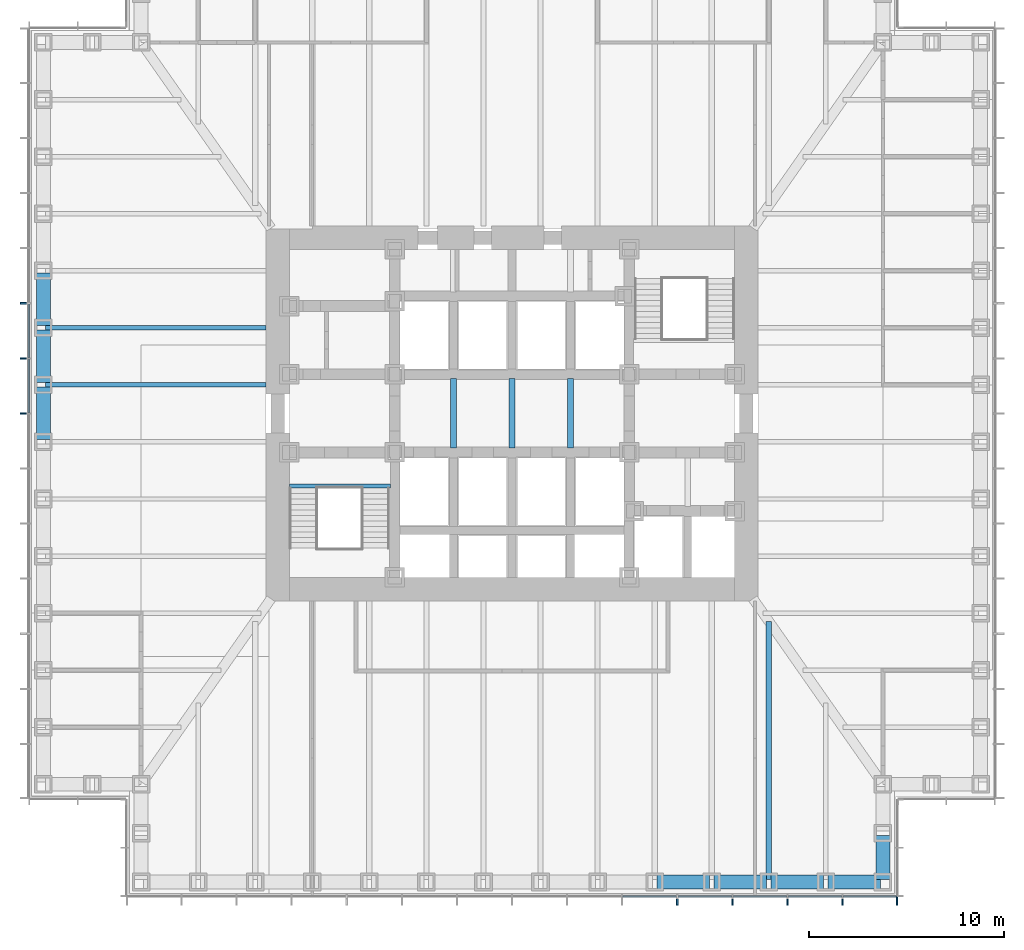
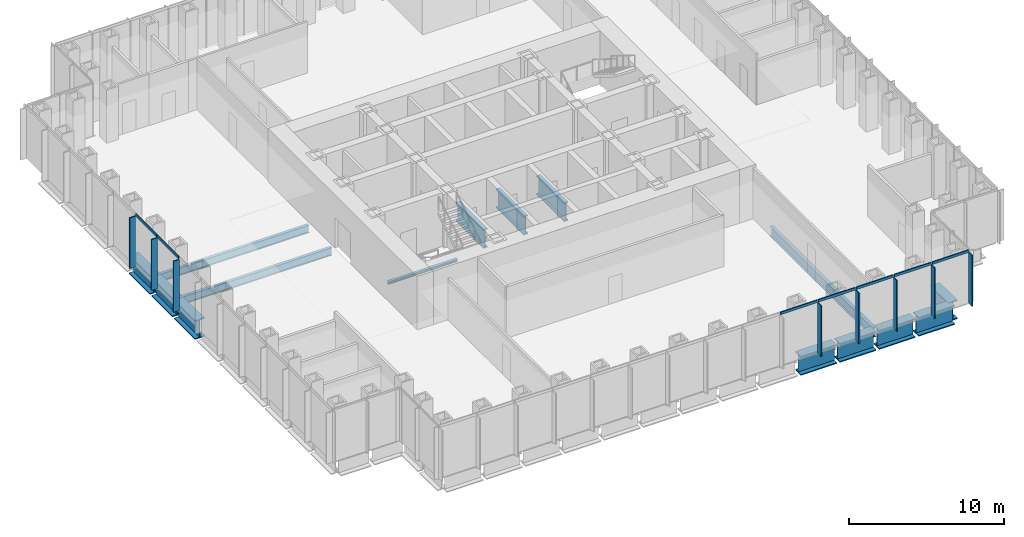
# One storey, part 3 of 17: 15 beams, 15 members, 2 elements without a shape of their own.
"""IFC4 building model written with IfcOpenShell, lengths in metres."""

import ifcopenshell
import ifcopenshell.guid

model = None  # the IFC model being written
_history = None  # IfcOwnerHistory: only IFC2X3 demands one
_inside = {}  # id of a spatial element -> (the spatial element, [elements in it])
_under = {}  # id of a project, library or spatial element -> (it, [spatial elements below it])
_declared = {}  # id of a project -> (the project, [libraries it declares])
_typed = {}  # id of a type object -> (the type object, [elements of that type])
_made_of = {}  # id of a material, layer set ... -> (it, [elements and type objects made of it])


def new_model(schema):
    """Start an empty IFC model of exactly this schema.

    Asked for "IFC4X3", IfcOpenShell would pick the latest addendum, in which some entities
    have other attributes; the version numbers below select the first issue.
    IFC2X3 requires an IfcOwnerHistory on every rooted entity: one is made here for all.
    """
    global model, _history
    if schema == "IFC4X3":
        model = ifcopenshell.file(schema_version=(4, 3, 0, 0))
    else:
        model = ifcopenshell.file(schema=schema)
    _inside.clear()
    _under.clear()
    _declared.clear()
    _typed.clear()
    _made_of.clear()
    _history = None
    if model.schema == "IFC2X3":
        org = make("IfcOrganization", Name="unknown")
        user = make(
            "IfcPersonAndOrganization",
            ThePerson=make("IfcPerson", FamilyName="unknown"),
            TheOrganization=org,
        )
        app = make(
            "IfcApplication",
            ApplicationDeveloper=org,
            Version="unknown",
            ApplicationFullName="unknown",
            ApplicationIdentifier="unknown",
        )
        _history = make(
            "IfcOwnerHistory",
            OwningUser=user,
            OwningApplication=app,
            ChangeAction="ADDED",
            CreationDate=0,
        )
    return model


def make(cls, **values):
    """One entity of the class cls with the attributes given. An attribute that is None is left unset."""
    return model.create_entity(
        cls, **{name: value for name, value in values.items() if value is not None}
    )


def rooted(cls, **values):
    """An entity with a GlobalId (a new one), such as an element, a storey or a relation."""
    return make(cls, GlobalId=ifcopenshell.guid.new(), OwnerHistory=_history, **values)


def si_unit(unit_type, name, prefix=None):
    """IfcSIUnit, for example si_unit("LENGTHUNIT", "METRE", prefix="MILLI")."""
    return make("IfcSIUnit", UnitType=unit_type, Prefix=prefix, Name=name)


def assignment(units):
    """IfcUnitAssignment: the units of a project."""
    return None if units is None else make("IfcUnitAssignment", Units=units)


def point(xyz):
    """IfcCartesianPoint."""
    return None if xyz is None else make("IfcCartesianPoint", Coordinates=xyz)


def direction(xyz):
    """IfcDirection."""
    return None if xyz is None else make("IfcDirection", DirectionRatios=xyz)


def frame(location, z_axis=None, x_axis=None):
    """IfcAxis2Placement3D, a coordinate frame: its origin and axes. An axis left out is left unset."""
    return make(
        "IfcAxis2Placement3D",
        Location=point(location),
        Axis=direction(z_axis),
        RefDirection=direction(x_axis),
    )


def frame_2d(location, x_axis=None):
    """IfcAxis2Placement2D, a coordinate frame in the plane: its origin and x axis."""
    return make(
        "IfcAxis2Placement2D", Location=point(location), RefDirection=direction(x_axis)
    )


def origin():
    """The frame at (0, 0, 0) with its axes left unset."""
    return frame((0.0, 0.0, 0.0))


def origin_2d():
    """The frame at (0, 0) in the plane with its x axis left unset."""
    return frame_2d((0.0, 0.0))


def place(relative_to, where):
    """IfcLocalPlacement: puts the frame where relative to a parent placement (None: the world)."""
    return make(
        "IfcLocalPlacement", PlacementRelTo=relative_to, RelativePlacement=where
    )


def context(
    kind, dimensions, precision=None, world=None, true_north=None, identifier=None
):
    """IfcGeometricRepresentationContext, for example the 3D "Model" context."""
    return make(
        "IfcGeometricRepresentationContext",
        ContextIdentifier=identifier,
        ContextType=kind,
        CoordinateSpaceDimension=dimensions,
        Precision=precision,
        WorldCoordinateSystem=world,
        TrueNorth=true_north,
    )


def subcontext(parent, identifier, kind, view, scale=None):
    """IfcGeometricRepresentationSubContext, for example "Body" below "Model"."""
    return make(
        "IfcGeometricRepresentationSubContext",
        ContextIdentifier=identifier,
        ContextType=kind,
        ParentContext=parent,
        TargetScale=scale,
        TargetView=view,
    )


def project(units=None, contexts=None):
    """IfcProject with its units and contexts."""
    return rooted(
        "IfcProject",
        Name="project",
        RepresentationContexts=contexts,
        UnitsInContext=assignment(units),
    )


def spatial(cls, under=None, at=None, **own):
    """A site, building, storey or space (cls), placed at a placement, below another one or the project."""
    s = rooted(cls, ObjectPlacement=at, **own)
    if under is not None:
        _under.setdefault(under.id(), (under, []))[1].append(s)
    return s


def profile(cls, at=None, kind="AREA", **sizes):
    """A parametric profile (cls). Its sizes go by their IFC names, for example OverallWidth=200.0."""
    return make(cls, ProfileType=kind, Position=at, **sizes)


def rectangle(**sizes):
    """IfcRectangleProfileDef."""
    return profile("IfcRectangleProfileDef", **sizes)


def i_section(**sizes):
    """IfcIShapeProfileDef."""
    return profile("IfcIShapeProfileDef", **sizes)


def extrude(swept, where, along, depth):
    """IfcExtrudedAreaSolid: the profile swept, set in the frame where, extruded along a direction by depth."""
    return make(
        "IfcExtrudedAreaSolid",
        SweptArea=swept,
        Position=where,
        ExtrudedDirection=direction(along),
        Depth=depth,
    )


def shape(context_of_items, identifier, shape_type, items):
    """IfcShapeRepresentation: the items that make up one representation, for example the "Body"."""
    return make(
        "IfcShapeRepresentation",
        ContextOfItems=context_of_items,
        RepresentationIdentifier=identifier,
        RepresentationType=shape_type,
        Items=items,
    )


def material(Name=None, Category=None):
    """IfcMaterial."""
    return make("IfcMaterial", Name=Name, Category=Category)


def material_profile(
    of_material, cross_section, Name=None, Category=None, Priority=None
):
    """IfcMaterialProfile: a cross section and its material."""
    return make(
        "IfcMaterialProfile",
        Name=Name,
        Material=of_material,
        Profile=cross_section,
        Priority=Priority,
        Category=Category,
    )


def profile_set(profiles, Name=None, composite=None):
    """IfcMaterialProfileSet."""
    return make(
        "IfcMaterialProfileSet",
        Name=Name,
        MaterialProfiles=profiles,
        CompositeProfile=composite,
    )


def made_of(thing, what):
    """Note that an element or type object is made of a material, layer set ...; save() writes the relation."""
    if what is not None:
        _made_of.setdefault(what.id(), (what, []))[1].append(thing)
    return thing


def type_object(cls, material=None, **own):
    """A type object (cls), such as IfcWallType, which elements share."""
    return made_of(rooted(cls, **own), material)


def element(
    cls,
    number,
    at=None,
    inside=None,
    cuts=None,
    type_object=None,
    material=None,
    context=None,
    identifier="Body",
    shape_type=None,
    held_by="IfcProductDefinitionShape",
    body=None,
    shapes=None,
    **own,
):
    """One element of the class cls, such as IfcWall. Its Tag is "e" and its number.

    at: its placement. inside: the storey or other place that contains it. cuts: it is an
    opening in that element (IfcRelVoidsElement). A single representation is given by context,
    identifier, shape_type and body (its items); several are given by shapes. held_by: the class
    of the entity that holds the representations. save() writes the other relations.
    """
    e = rooted(cls, Tag="e%d" % number, ObjectPlacement=at, **own)
    if body is not None:
        shapes = [shape(context, identifier, shape_type, body)]
    if shapes is not None:
        e.Representation = make(held_by, Representations=shapes)
    if inside is not None:
        _inside.setdefault(inside.id(), (inside, []))[1].append(e)
    if cuts is not None:
        rooted(
            "IfcRelVoidsElement", RelatingBuildingElement=cuts, RelatedOpeningElement=e
        )
    if type_object is not None:
        _typed.setdefault(type_object.id(), (type_object, []))[1].append(e)
    return made_of(e, material)


def aggregate(whole, parts):
    """IfcRelAggregates: a whole, such as a stair, and the parts it consists of."""
    return rooted("IfcRelAggregates", RelatingObject=whole, RelatedObjects=parts)


def save(model, path):
    """Write the relations noted so far, then the file.

    IfcRelAggregates (storeys below a building ...), IfcRelContainedInSpatialStructure (elements
    in a storey), IfcRelDefinesByType, IfcRelAssociatesMaterial and IfcRelDeclares: one each for
    every whole, place, type object, material and project.
    """
    for whole, parts in _under.values():
        aggregate(whole, parts)
    for where, things in _inside.values():
        rooted(
            "IfcRelContainedInSpatialStructure",
            RelatedElements=things,
            RelatingStructure=where,
        )
    for kind, things in _typed.values():
        rooted("IfcRelDefinesByType", RelatedObjects=things, RelatingType=kind)
    for what, things in _made_of.values():
        rooted("IfcRelAssociatesMaterial", RelatedObjects=things, RelatingMaterial=what)
    for by, libraries in _declared.values():
        rooted("IfcRelDeclares", RelatingContext=by, RelatedDefinitions=libraries)
    model.write(path)


model = new_model("IFC4")

# Units and contexts
model_context = context("Model", 3, precision=1e-05, world=origin(), true_north=direction((0.0, 1.0)))
body_context = subcontext(model_context, "Body", "Model", "MODEL_VIEW")
ifc_project = project(units=[si_unit("LENGTHUNIT", "METRE"), si_unit("AREAUNIT", "SQUARE_METRE"), si_unit("VOLUMEUNIT", "CUBIC_METRE"), si_unit("PLANEANGLEUNIT", "RADIAN"), si_unit("MASSUNIT", "GRAM", prefix="KILO")], contexts=[model_context])

# Site, building, storey
site_placement = place(None, origin())
site = spatial("IfcSite", under=ifc_project, at=site_placement, CompositionType="ELEMENT")
building_placement = place(site_placement, origin())
building = spatial("IfcBuilding", under=site, at=building_placement, Name="Daluyong Arena Tower", CompositionType="ELEMENT")
storey_placement = place(building_placement, frame((0.0, 0.0, 55.89990234375)))
storey = spatial("IfcBuildingStorey", under=building, at=storey_placement, Name="L11", CompositionType="ELEMENT", Elevation=55.89990234375)

# Curtain wall, members
ifc_material_1 = material(Name="Bronze anodised aluminium and glass", Category="aluminium")
curtain_wall_type = type_object("IfcCurtainWallType", Name="Curtain wall CW1", PredefinedType="USERDEFINED", material=ifc_material_1)
curtain_wall_1_placement = place(storey_placement, origin())
curtain_wall_1 = element("IfcCurtainWall", 1, at=curtain_wall_1_placement, inside=storey, type_object=curtain_wall_type, Name="curtain wall L11 S", ObjectType="UNITISED CURTAIN WALL", PredefinedType="USERDEFINED")
ifc_material_2 = material(Name="Bronze anodised aluminium fin", Category="aluminium")
ifc_material_profile_1 = material_profile(ifc_material_2, rectangle(XDim=0.449951171875, YDim=0.080078125, at=origin_2d()))
ifc_profile_set_1 = profile_set([ifc_material_profile_1], Name="Bronze anodised aluminium fin")
member_type_1 = type_object("IfcMemberType", Name="CW1 bronze fin 450x80", PredefinedType="MULLION", material=ifc_profile_set_1)
member_1_placement = place(storey_placement, frame((64.46435546875, 55.02490234375, 0.0), z_axis=(0.0, 0.0, 1.0), x_axis=(0.0, 1.0, 0.0)))
member_1 = element("IfcMember", 2, at=member_1_placement, type_object=member_type_1, Name="curtain wall L11 S fin 11", PredefinedType="MULLION", context=body_context, shape_type="SweptSolid", body=[
    extrude(rectangle(XDim=0.449951171875, YDim=0.080078125, at=origin_2d()), origin(), (0.0, 0.0, 1.0), 4.0),
])
member_2_placement = place(storey_placement, frame((67.28564453125, 55.02490234375, 0.0), z_axis=(0.0, 0.0, 1.0), x_axis=(0.0, 1.0, 0.0)))
member_2 = element("IfcMember", 3, at=member_2_placement, type_object=member_type_1, Name="curtain wall L11 S fin 12", PredefinedType="MULLION", context=body_context, shape_type="SweptSolid", body=[
    extrude(rectangle(XDim=0.449951171875, YDim=0.080078125, at=origin_2d()), origin(), (0.0, 0.0, 1.0), 4.0),
])
member_3_placement = place(storey_placement, frame((70.107177734375, 55.02490234375, 0.0), z_axis=(0.0, 0.0, 1.0), x_axis=(0.0, 1.0, 0.0)))
member_3 = element("IfcMember", 4, at=member_3_placement, type_object=member_type_1, Name="curtain wall L11 S fin 13", PredefinedType="MULLION", context=body_context, shape_type="SweptSolid", body=[
    extrude(rectangle(XDim=0.449951171875, YDim=0.080078125, at=origin_2d()), origin(), (0.0, 0.0, 1.0), 4.0),
])
member_4_placement = place(storey_placement, frame((72.928466796875, 55.02490234375, 0.0), z_axis=(0.0, 0.0, 1.0), x_axis=(0.0, 1.0, 0.0)))
member_4 = element("IfcMember", 5, at=member_4_placement, type_object=member_type_1, Name="curtain wall L11 S fin 14", PredefinedType="MULLION", context=body_context, shape_type="SweptSolid", body=[
    extrude(rectangle(XDim=0.449951171875, YDim=0.080078125, at=origin_2d()), origin(), (0.0, 0.0, 1.0), 4.0),
])
member_5_placement = place(storey_placement, frame((75.7099609375, 55.02490234375, 0.0), z_axis=(0.0, 0.0, 1.0), x_axis=(0.0, 1.0, 0.0)))
member_5 = element("IfcMember", 6, at=member_5_placement, type_object=member_type_1, Name="curtain wall L11 S fin 15", PredefinedType="MULLION", context=body_context, shape_type="SweptSolid", body=[
    extrude(rectangle(XDim=0.449951171875, YDim=0.080078125, at=origin_2d()), origin(), (0.0, 0.0, 1.0), 4.0),
])

curtain_wall_2_placement = place(storey_placement, origin())
curtain_wall_2 = element("IfcCurtainWall", 7, at=curtain_wall_2_placement, inside=storey, type_object=curtain_wall_type, Name="curtain wall L11 W", ObjectType="UNITISED CURTAIN WALL", PredefinedType="USERDEFINED")
member_6_placement = place(storey_placement, frame((31.02490234375, 85.642822265625, 0.0), z_axis=(0.0, 0.0, 1.0), x_axis=(1.0, 0.0, 0.0)))
member_6 = element("IfcMember", 8, at=member_6_placement, type_object=member_type_1, Name="curtain wall L11 W fin 6", PredefinedType="MULLION", context=body_context, shape_type="SweptSolid", body=[
    extrude(rectangle(XDim=0.449951171875, YDim=0.080078125, at=origin_2d()), origin(), (0.0, 0.0, 1.0), 4.0),
])
member_7_placement = place(storey_placement, frame((31.02490234375, 82.821533203125, 0.0), z_axis=(0.0, 0.0, 1.0), x_axis=(1.0, 0.0, 0.0)))
member_7 = element("IfcMember", 9, at=member_7_placement, type_object=member_type_1, Name="curtain wall L11 W fin 7", PredefinedType="MULLION", context=body_context, shape_type="SweptSolid", body=[
    extrude(rectangle(XDim=0.449951171875, YDim=0.080078125, at=origin_2d()), origin(), (0.0, 0.0, 1.0), 4.0),
])
member_8_placement = place(storey_placement, frame((31.02490234375, 80.0, 0.0), z_axis=(0.0, 0.0, 1.0), x_axis=(1.0, 0.0, 0.0)))
member_8 = element("IfcMember", 10, at=member_8_placement, type_object=member_type_1, Name="curtain wall L11 W fin 8", PredefinedType="MULLION", context=body_context, shape_type="SweptSolid", body=[
    extrude(rectangle(XDim=0.449951171875, YDim=0.080078125, at=origin_2d()), origin(), (0.0, 0.0, 1.0), 4.0),
])

# Member
ifc_material_3 = material(Name="Bronze anodised aluminium", Category="aluminium")
ifc_material_profile_2 = material_profile(ifc_material_3, rectangle(XDim=0.080078125, YDim=0.199951171875, at=origin_2d()))
ifc_profile_set_2 = profile_set([ifc_material_profile_2], Name="Bronze anodised aluminium")
member_type_2 = type_object("IfcMemberType", Name="CW1 stack transom 200x80", PredefinedType="USERDEFINED", material=ifc_profile_set_2)
member_9_placement = place(storey_placement, frame((61.682861328125, 55.25, 4.10009765625), z_axis=(1.0, 0.0, 0.0), x_axis=(0.0, 1.0, 0.0)))
member_9 = element("IfcMember", 11, at=member_9_placement, type_object=member_type_2, Name="curtain wall L11 S transom 10", ObjectType="TRANSOM", PredefinedType="USERDEFINED", context=body_context, shape_type="SweptSolid", body=[
    extrude(rectangle(XDim=0.080078125, YDim=0.199951171875, at=origin_2d()), origin(), (0.0, 0.0, 1.0), 2.741455078125),
])

member_10_placement = place(storey_placement, frame((64.50439453125, 55.25, 4.10009765625), z_axis=(1.0, 0.0, 0.0), x_axis=(0.0, 1.0, 0.0)))
member_10 = element("IfcMember", 12, at=member_10_placement, type_object=member_type_2, Name="curtain wall L11 S transom 11", ObjectType="TRANSOM", PredefinedType="USERDEFINED", context=body_context, shape_type="SweptSolid", body=[
    extrude(rectangle(XDim=0.080078125, YDim=0.199951171875, at=origin_2d()), origin(), (0.0, 0.0, 1.0), 2.7412109375),
])

member_11_placement = place(storey_placement, frame((67.32568359375, 55.25, 4.10009765625), z_axis=(1.0, 0.0, 0.0), x_axis=(0.0, 1.0, 0.0)))
member_11 = element("IfcMember", 13, at=member_11_placement, type_object=member_type_2, Name="curtain wall L11 S transom 12", ObjectType="TRANSOM", PredefinedType="USERDEFINED", context=body_context, shape_type="SweptSolid", body=[
    extrude(rectangle(XDim=0.080078125, YDim=0.199951171875, at=origin_2d()), origin(), (0.0, 0.0, 1.0), 2.741455078125),
])

member_12_placement = place(storey_placement, frame((70.147216796875, 55.25, 4.10009765625), z_axis=(1.0, 0.0, 0.0), x_axis=(0.0, 1.0, 0.0)))
member_12 = element("IfcMember", 14, at=member_12_placement, type_object=member_type_2, Name="curtain wall L11 S transom 13", ObjectType="TRANSOM", PredefinedType="USERDEFINED", context=body_context, shape_type="SweptSolid", body=[
    extrude(rectangle(XDim=0.080078125, YDim=0.199951171875, at=origin_2d()), origin(), (0.0, 0.0, 1.0), 2.741455078125),
])

member_13_placement = place(storey_placement, frame((72.968505859375, 55.25, 4.10009765625), z_axis=(1.0, 0.0, 0.0), x_axis=(0.0, 1.0, 0.0)))
member_13 = element("IfcMember", 15, at=member_13_placement, type_object=member_type_2, Name="curtain wall L11 S transom 14", ObjectType="TRANSOM", PredefinedType="USERDEFINED", context=body_context, shape_type="SweptSolid", body=[
    extrude(rectangle(XDim=0.080078125, YDim=0.199951171875, at=origin_2d()), origin(), (0.0, 0.0, 1.0), 2.701416015625),
])

aggregate(curtain_wall_1, [member_1, member_2, member_3, member_4, member_5, member_9, member_10, member_11, member_12, member_13])

member_14_placement = place(storey_placement, frame((31.25, 85.602783203125, 4.10009765625), z_axis=(0.0, -1.0, 0.0), x_axis=(1.0, 0.0, 0.0)))
member_14 = element("IfcMember", 16, at=member_14_placement, type_object=member_type_2, Name="curtain wall L11 W transom 6", ObjectType="TRANSOM", PredefinedType="USERDEFINED", context=body_context, shape_type="SweptSolid", body=[
    extrude(rectangle(XDim=0.080078125, YDim=0.199951171875, at=origin_2d()), origin(), (0.0, 0.0, 1.0), 2.741455078125),
])

member_15_placement = place(storey_placement, frame((31.25, 82.781494140625, 4.10009765625), z_axis=(0.0, -1.0, 0.0), x_axis=(1.0, 0.0, 0.0)))
member_15 = element("IfcMember", 17, at=member_15_placement, type_object=member_type_2, Name="curtain wall L11 W transom 7", ObjectType="TRANSOM", PredefinedType="USERDEFINED", context=body_context, shape_type="SweptSolid", body=[
    extrude(rectangle(XDim=0.080078125, YDim=0.199951171875, at=origin_2d()), origin(), (0.0, 0.0, 1.0), 2.741455078125),
])

aggregate(curtain_wall_2, [member_6, member_7, member_8, member_14, member_15])

# Beams
ifc_material_4 = material(Name="Steel ASTM A992 Grade 50", Category="steel")
ifc_material_profile_3 = material_profile(ifc_material_4, i_section(OverallWidth=0.22900390625, OverallDepth=0.612060546875, WebThickness=0.011962890625, FlangeThickness=0.01953125, at=origin_2d()))
ifc_profile_set_3 = profile_set([ifc_material_profile_3], Name="Steel ASTM A992 Grade 50")
beam_type_1 = type_object("IfcBeamType", Name="Floor beam W24X84", PredefinedType="BEAM", material=ifc_profile_set_3)
for number, where, z_axis, x_axis, name in (
    (18, (32.114990234375, 84.384521484375, -0.466064453125), (1.0, 0.0, 0.0), (0.0, 1.0, 0.0), "floor beam FB3"),
    (19, (32.114990234375, 81.46142578125, -0.466064453125), (1.0, 0.0, 0.0), (0.0, 1.0, 0.0), "floor beam FB3"),
):
    element("IfcBeam", number, at=place(storey_placement, frame(where, z_axis=z_axis, x_axis=x_axis)), inside=storey, type_object=beam_type_1, Name=name, PredefinedType="BEAM", context=body_context, shape_type="SweptSolid", body=[
        extrude(i_section(OverallWidth=0.22900390625, OverallDepth=0.612060546875, WebThickness=0.011962890625, FlangeThickness=0.01953125, at=origin_2d()), origin(), (0.0, 0.0, 1.0), 11.284912109375),
    ])
ifc_material_5 = material(Name="Steel ASTM A992 Grade 50", Category="steel")
ifc_material_profile_4 = material_profile(ifc_material_5, i_section(OverallWidth=0.2666015625, OverallDepth=0.761962890625, WebThickness=0.014404296875, FlangeThickness=0.021484375, at=origin_2d()))
ifc_profile_set_4 = profile_set([ifc_material_profile_4], Name="Steel ASTM A992 Grade 50")
beam_type_2 = type_object("IfcBeamType", Name="Floor beam W30X116", PredefinedType="BEAM", material=ifc_profile_set_4)
beam_1_placement = place(storey_placement, frame((69.15380859375, 56.114990234375, -0.541015625), z_axis=(0.0, 1.0, 0.0), x_axis=(-1.0, 0.0, 0.0)))
element("IfcBeam", 20, at=beam_1_placement, inside=storey, type_object=beam_type_2, Name="floor beam FB4", PredefinedType="BEAM", context=body_context, shape_type="SweptSolid", body=[
    extrude(i_section(OverallWidth=0.2666015625, OverallDepth=0.761962890625, WebThickness=0.014404296875, FlangeThickness=0.021484375, at=origin_2d()), origin(), (0.0, 0.0, 1.0), 13.236572265625),
])
ifc_material_6 = material(Name="Steel ASTM A572 Grade 50", Category="steel")
ifc_material_profile_5 = material_profile(ifc_material_6, i_section(OverallWidth=0.300048828125, OverallDepth=1.5, WebThickness=0.04, FlangeThickness=0.1, at=origin_2d()))
ifc_profile_set_5 = profile_set([ifc_material_profile_5], Name="Steel ASTM A572 Grade 50")
beam_type_3 = type_object("IfcBeamType", Name="Lift divider beam PG1500X300", PredefinedType="BEAM", material=ifc_profile_set_5)
for number, where, z_axis, x_axis, name in (
    (21, (53.0, 78.22509765625, -0.909912109375), (0.0, 1.0, 0.0), (-1.0, 0.0, 0.0), "lift divider beam DB2"),
    (22, (56.0, 78.22509765625, -0.909912109375), (0.0, 1.0, 0.0), (-1.0, 0.0, 0.0), "lift divider beam DB2"),
    (23, (59.0, 78.22509765625, -0.909912109375), (0.0, 1.0, 0.0), (-1.0, 0.0, 0.0), "lift divider beam DB2"),
):
    element("IfcBeam", number, at=place(storey_placement, frame(where, z_axis=z_axis, x_axis=x_axis)), inside=storey, type_object=beam_type_3, Name=name, PredefinedType="BEAM", context=body_context, shape_type="SweptSolid", body=[
        extrude(i_section(OverallWidth=0.300048828125, OverallDepth=1.5, WebThickness=0.04, FlangeThickness=0.1, at=origin_2d()), origin(), (0.0, 0.0, 1.0), 3.5498046875),
    ])
ifc_material_7 = material(Name="Steel ASTM A572 Grade 50", Category="steel")
ifc_material_profile_6 = material_profile(ifc_material_7, i_section(OverallWidth=0.699951171875, OverallDepth=1.5, WebThickness=0.04, FlangeThickness=0.08, at=origin_2d()))
ifc_profile_set_6 = profile_set([ifc_material_profile_6], Name="Steel ASTM A572 Grade 50")
beam_type_4 = type_object("IfcBeamType", Name="Spandrel Z1 PG1500X700", PredefinedType="SPANDREL", material=ifc_profile_set_6)
for number, where, z_axis, x_axis, name in (
    (24, (63.422607421875, 56.0, -0.909912109375), (1.0, 0.0, 0.0), (0.0, 1.0, 0.0), "spandrel z1 SB4"),
    (25, (66.345703125, 56.0, -0.909912109375), (1.0, 0.0, 0.0), (0.0, 1.0, 0.0), "spandrel z1 SB4"),
    (26, (69.268798828125, 56.0, -0.909912109375), (1.0, 0.0, 0.0), (0.0, 1.0, 0.0), "spandrel z1 SB4"),
    (27, (72.19189453125, 56.0, -0.909912109375), (1.0, 0.0, 0.0), (0.0, 1.0, 0.0), "spandrel z1 SB4"),
):
    element("IfcBeam", number, at=place(storey_placement, frame(where, z_axis=z_axis, x_axis=x_axis)), inside=storey, type_object=beam_type_4, Name=name, PredefinedType="SPANDREL", context=body_context, shape_type="SweptSolid", body=[
        extrude(i_section(OverallWidth=0.699951171875, OverallDepth=1.5, WebThickness=0.04, FlangeThickness=0.08, at=origin_2d()), origin(), (0.0, 0.0, 1.0), 2.693115234375),
    ])
beam_2_placement = place(storey_placement, frame((75.0, 56.114990234375, -0.909912109375), z_axis=(0.0, 1.0, 0.0), x_axis=(-1.0, 0.0, 0.0)))
element("IfcBeam", 28, at=beam_2_placement, inside=storey, type_object=beam_type_4, Name="spandrel z1 SB4", PredefinedType="SPANDREL", context=body_context, shape_type="SweptSolid", body=[
    extrude(i_section(OverallWidth=0.699951171875, OverallDepth=1.5, WebThickness=0.04, FlangeThickness=0.08, at=origin_2d()), origin(), (0.0, 0.0, 1.0), 2.27001953125),
])
for number, where, z_axis, x_axis, name in (
    (29, (32.0, 87.192626953125, -0.909912109375), (0.0, -1.0, 0.0), (1.0, 0.0, 0.0), "spandrel z1 SB4"),
    (30, (32.0, 84.26953125, -0.909912109375), (0.0, -1.0, 0.0), (1.0, 0.0, 0.0), "spandrel z1 SB4"),
):
    element("IfcBeam", number, at=place(storey_placement, frame(where, z_axis=z_axis, x_axis=x_axis)), inside=storey, type_object=beam_type_4, Name=name, PredefinedType="SPANDREL", context=body_context, shape_type="SweptSolid", body=[
        extrude(i_section(OverallWidth=0.699951171875, OverallDepth=1.5, WebThickness=0.04, FlangeThickness=0.08, at=origin_2d()), origin(), (0.0, 0.0, 1.0), 2.693115234375),
    ])
beam_3_placement = place(storey_placement, frame((32.0, 81.346435546875, -0.909912109375), z_axis=(0.0, -1.0, 0.0), x_axis=(1.0, 0.0, 0.0)))
element("IfcBeam", 31, at=beam_3_placement, inside=storey, type_object=beam_type_4, Name="spandrel z1 SB4", PredefinedType="SPANDREL", context=body_context, shape_type="SweptSolid", body=[
    extrude(i_section(OverallWidth=0.699951171875, OverallDepth=1.5, WebThickness=0.04, FlangeThickness=0.08, at=origin_2d()), origin(), (0.0, 0.0, 1.0), 2.69287109375),
])
ifc_material_8 = material(Name="Steel ASTM A992 Grade 50", Category="steel")
ifc_material_profile_7 = material_profile(ifc_material_8, i_section(OverallWidth=0.203125, OverallDepth=0.203125, WebThickness=0.00732421875, FlangeThickness=0.010986328125, at=origin_2d()))
ifc_profile_set_7 = profile_set([ifc_material_profile_7], Name="Steel ASTM A992 Grade 50")
beam_type_5 = type_object("IfcBeamType", Name="Stair landing beam W8X31", PredefinedType="BEAM", material=ifc_profile_set_7)
beam_4_placement = place(storey_placement, frame((44.60009765625, 76.276611328125, -0.261474609375), z_axis=(1.0, 0.0, 0.0), x_axis=(0.0, 1.0, 0.0)))
element("IfcBeam", 32, at=beam_4_placement, inside=storey, type_object=beam_type_5, Name="exit stair A landing beam", PredefinedType="BEAM", context=body_context, shape_type="SweptSolid", body=[
    extrude(i_section(OverallWidth=0.203125, OverallDepth=0.203125, WebThickness=0.00732421875, FlangeThickness=0.010986328125, at=origin_2d()), origin(), (0.0, 0.0, 1.0), 5.1748046875),
])

save(model, "model.ifc")
